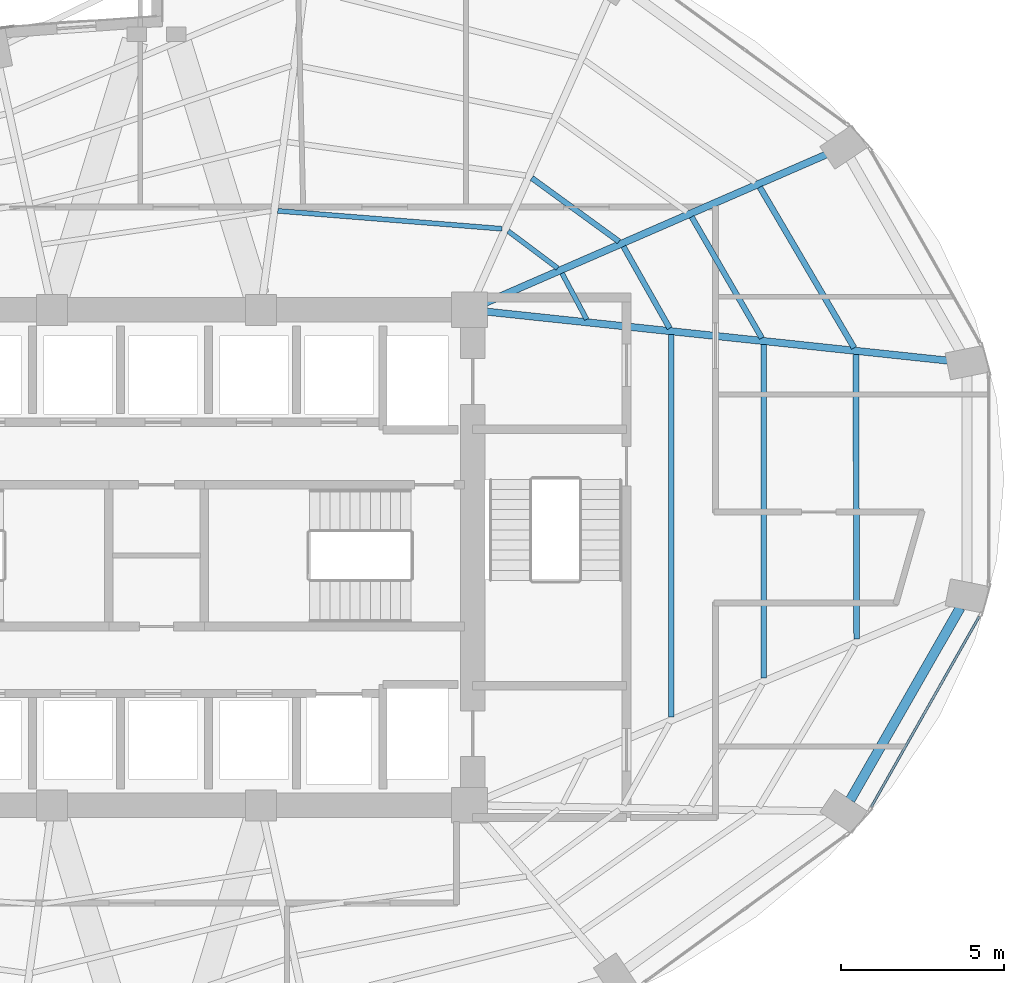
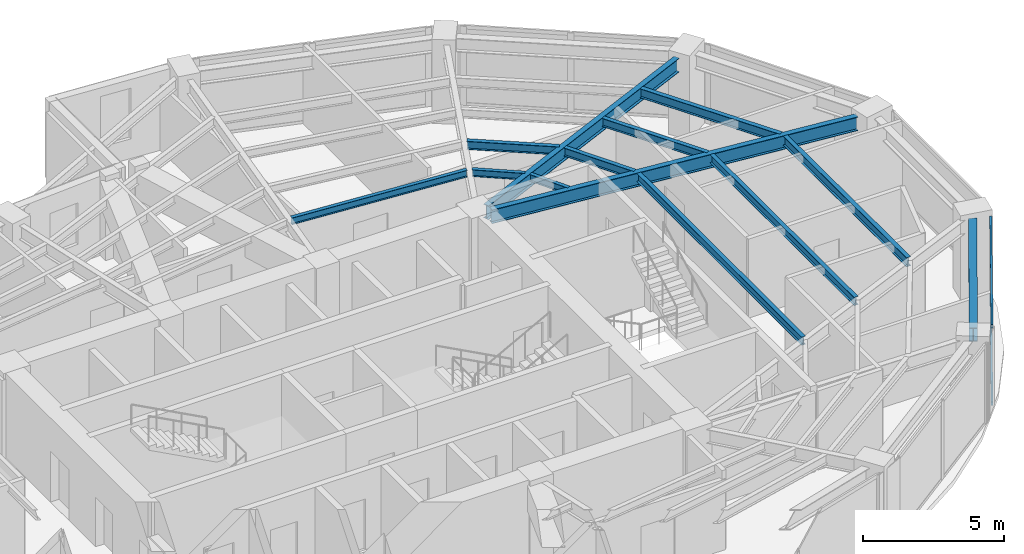
# One storey, part 12 of 23: 13 beams, 2 members, 1 element without a shape of its own.
"""IFC4 building model written with IfcOpenShell, lengths in metres."""

from ifc_helpers import new_model, si_unit, direction, frame, origin, origin_2d, place, context, subcontext, project, spatial, hollow_rectangle, i_section, extrude, material, layer, layer_set, material_profile, profile_set, type_object, element, aggregate, save


model = new_model("IFC4")

# Units and contexts
model_context = context("Model", 3, precision=1e-05, world=origin(), true_north=direction((0.0, 1.0)))
body_context = subcontext(model_context, "Body", "Model", "MODEL_VIEW")
ifc_project = project(units=[si_unit("LENGTHUNIT", "METRE"), si_unit("AREAUNIT", "SQUARE_METRE"), si_unit("VOLUMEUNIT", "CUBIC_METRE"), si_unit("PLANEANGLEUNIT", "RADIAN"), si_unit("MASSUNIT", "GRAM", prefix="KILO")], contexts=[model_context])

# Site, building, storey
site_placement = place(None, origin())
site = spatial("IfcSite", under=ifc_project, at=site_placement, CompositionType="ELEMENT")
building_placement = place(site_placement, origin())
building = spatial("IfcBuilding", under=site, at=building_placement, Name="Lazwardi Medical Tower", CompositionType="ELEMENT")
storey_placement = place(building_placement, frame((0.0, 0.0, 107.280029296875)))
storey = spatial("IfcBuildingStorey", under=building, at=storey_placement, Name="L27", CompositionType="ELEMENT", Elevation=107.280029296875)

# Beams
ifc_material_1 = material(Name="Steel S355", Category="steel")
ifc_material_profile_1 = material_profile(ifc_material_1, i_section(OverallWidth=0.300048828125, OverallDepth=0.60009765625, WebThickness=0.015380859375, FlangeThickness=0.030029296875, at=origin_2d()), Name="HEB 600")
ifc_profile_set_1 = profile_set([ifc_material_profile_1], Name="Steel S355")
beam_type_1 = type_object("IfcBeamType", Name="BM-RB-Z2", PredefinedType="BEAM", material=ifc_profile_set_1)
beam_1_placement = place(storey_placement, frame((57.281494140625, 20.561279296875, 3.1279296875), z_axis=(0.496653025517, 0.867949176072, 0.0), x_axis=(-0.867949176072, 0.496653025517, 0.0)))
element("IfcBeam", 1, at=beam_1_placement, inside=storey, type_object=beam_type_1, Name="Ring beam RB-03 B03 L27", PredefinedType="BEAM", context=body_context, shape_type="SweptSolid", body=[
    extrude(i_section(OverallWidth=0.300048828125, OverallDepth=0.60009765625, WebThickness=0.015380859375, FlangeThickness=0.030029296875, at=origin_2d()), origin(), (0.0, 0.0, 1.0), 6.80078125),
])
ifc_material_profile_2 = material_profile(ifc_material_1, i_section(OverallWidth=0.219970703125, OverallDepth=0.60009765625, WebThickness=0.011962890625, FlangeThickness=0.01904296875, at=origin_2d()), Name="IPE 600")
ifc_profile_set_2 = profile_set([ifc_material_profile_2], Name="Steel S355")
beam_type_2 = type_object("IfcBeamType", Name="BM-RG-W1", PredefinedType="BEAM", material=ifc_profile_set_2)
beam_2_placement = place(storey_placement, frame((60.2861328125, 34.041015625, 3.1279296875), z_axis=(-0.994413340753, 0.10555618282, 0.0), x_axis=(-0.10555618282, -0.994413340753, 0.0)))
element("IfcBeam", 2, at=beam_2_placement, inside=storey, type_object=beam_type_2, Name="Radial girder RG-02 R05 L27", PredefinedType="BEAM", context=body_context, shape_type="SweptSolid", body=[
    extrude(i_section(OverallWidth=0.219970703125, OverallDepth=0.60009765625, WebThickness=0.011962890625, FlangeThickness=0.01904296875, at=origin_2d()), origin(), (0.0, 0.0, 1.0), 14.233642578125),
])
beam_3_placement = place(storey_placement, frame((56.5458984375, 40.36328125, 3.1279296875), z_axis=(-0.916941336121, -0.399022037127, 0.0), x_axis=(0.399022037127, -0.916941336121, 0.0)))
element("IfcBeam", 3, at=beam_3_placement, inside=storey, type_object=beam_type_2, Name="Radial girder RG-02 R06 L27", PredefinedType="BEAM", context=body_context, shape_type="SweptSolid", body=[
    extrude(i_section(OverallWidth=0.219970703125, OverallDepth=0.60009765625, WebThickness=0.011962890625, FlangeThickness=0.01904296875, at=origin_2d()), origin(), (0.0, 0.0, 1.0), 11.40234375),
])
ifc_material_profile_3 = material_profile(ifc_material_1, i_section(OverallWidth=0.179931640625, OverallDepth=0.39990234375, WebThickness=0.008544921875, FlangeThickness=0.013427734375, at=origin_2d()), Name="IPE 400")
ifc_profile_set_3 = profile_set([ifc_material_profile_3], Name="Steel S355")
beam_type_3 = type_object("IfcBeamType", Name="BM-SJ-01", PredefinedType="JOIST", material=ifc_profile_set_3)
beam_4_placement = place(storey_placement, frame((57.48095703125, 25.502685546875, 3.22802734375), z_axis=(-0.002907126978, 0.999995774297, 0.0), x_axis=(-0.999995774297, -0.002907126978, 0.0)))
element("IfcBeam", 4, at=beam_4_placement, inside=storey, type_object=beam_type_3, Name="Secondary joist SJ-01 R1 B04 L27", PredefinedType="JOIST", context=body_context, shape_type="SweptSolid", body=[
    extrude(i_section(OverallWidth=0.179931640625, OverallDepth=0.39990234375, WebThickness=0.008544921875, FlangeThickness=0.013427734375, at=origin_2d()), origin(), (0.0, 0.0, 1.0), 8.73388671875),
])
beam_5_placement = place(storey_placement, frame((57.402099609375, 34.43212890625, 3.22802734375), z_axis=(-0.506195045201, 0.862419025888, 0.0), x_axis=(-0.862419025888, -0.506195045201, 0.0)))
element("IfcBeam", 5, at=beam_5_placement, inside=storey, type_object=beam_type_3, Name="Secondary joist SJ-01 R1 B05 L27", PredefinedType="JOIST", context=body_context, shape_type="SweptSolid", body=[
    extrude(i_section(OverallWidth=0.179931640625, OverallDepth=0.39990234375, WebThickness=0.008544921875, FlangeThickness=0.013427734375, at=origin_2d()), origin(), (0.0, 0.0, 1.0), 5.71728515625),
])
ifc_material_profile_4 = material_profile(ifc_material_1, i_section(OverallWidth=0.169921875, OverallDepth=0.360107421875, WebThickness=0.008056640625, FlangeThickness=0.0126953125, at=origin_2d()), Name="IPE 360")
ifc_profile_set_4 = profile_set([ifc_material_profile_4], Name="Steel S355")
beam_type_4 = type_object("IfcBeamType", Name="BM-SJ-02", PredefinedType="JOIST", material=ifc_profile_set_4)
beam_6_placement = place(storey_placement, frame((54.634033203125, 24.30517578125, 3.248046875), z_axis=(-0.000930565095, 0.999999567024, 0.0), x_axis=(-0.999999567024, -0.000930565095, 0.0)))
element("IfcBeam", 6, at=beam_6_placement, inside=storey, type_object=beam_type_4, Name="Secondary joist SJ-02 R2 B04 L27", PredefinedType="JOIST", context=body_context, shape_type="SweptSolid", body=[
    extrude(i_section(OverallWidth=0.169921875, OverallDepth=0.360107421875, WebThickness=0.008056640625, FlangeThickness=0.0126953125, at=origin_2d()), origin(), (0.0, 0.0, 1.0), 10.23193359375),
])
beam_7_placement = place(storey_placement, frame((54.57177734375, 34.73291015625, 3.248046875), z_axis=(-0.501365325212, 0.865235696602, 0.0), x_axis=(-0.865235696602, -0.501365325212, 0.0)))
element("IfcBeam", 7, at=beam_7_placement, inside=storey, type_object=beam_type_4, Name="Secondary joist SJ-02 R2 B05 L27", PredefinedType="JOIST", context=body_context, shape_type="SweptSolid", body=[
    extrude(i_section(OverallWidth=0.169921875, OverallDepth=0.360107421875, WebThickness=0.008056640625, FlangeThickness=0.0126953125, at=origin_2d()), origin(), (0.0, 0.0, 1.0), 4.298828125),
])
beam_8_placement = place(storey_placement, frame((51.787109375, 23.107421875, 3.248046875), z_axis=(0.000561961365, 0.9999998421, 0.0), x_axis=(-0.9999998421, 0.000561961365, 0.0)))
element("IfcBeam", 8, at=beam_8_placement, inside=storey, type_object=beam_type_4, Name="Secondary joist SJ-02 R3 B04 L27", PredefinedType="JOIST", context=body_context, shape_type="SweptSolid", body=[
    extrude(i_section(OverallWidth=0.169921875, OverallDepth=0.360107421875, WebThickness=0.008056640625, FlangeThickness=0.0126953125, at=origin_2d()), origin(), (0.0, 0.0, 1.0), 11.72998046875),
])
beam_9_placement = place(storey_placement, frame((51.741943359375, 35.033935546875, 3.248046875), z_axis=(-0.492026539517, 0.870580199873, 0.0), x_axis=(-0.870580199873, -0.492026539517, 0.0)))
element("IfcBeam", 9, at=beam_9_placement, inside=storey, type_object=beam_type_4, Name="Secondary joist SJ-02 R3 B05 L27", PredefinedType="JOIST", context=body_context, shape_type="SweptSolid", body=[
    extrude(i_section(OverallWidth=0.169921875, OverallDepth=0.360107421875, WebThickness=0.008056640625, FlangeThickness=0.0126953125, at=origin_2d()), origin(), (0.0, 0.0, 1.0), 2.880859375),
])
beam_10_placement = place(storey_placement, frame((50.18798828125, 37.6953125, 3.248046875), z_axis=(-0.808301737247, 0.588768461761, 0.0), x_axis=(-0.588768461761, -0.808301737247, 0.0)))
element("IfcBeam", 10, at=beam_10_placement, inside=storey, type_object=beam_type_4, Name="Secondary joist SJ-02 R3 B06 L27", PredefinedType="JOIST", context=body_context, shape_type="SweptSolid", body=[
    extrude(i_section(OverallWidth=0.169921875, OverallDepth=0.360107421875, WebThickness=0.008056640625, FlangeThickness=0.0126953125, at=origin_2d()), origin(), (0.0, 0.0, 1.0), 3.307373046875),
])
ifc_material_profile_5 = material_profile(ifc_material_1, i_section(OverallWidth=0.14990234375, OverallDepth=0.300048828125, WebThickness=0.007080078125, FlangeThickness=0.0107421875, at=origin_2d()), Name="IPE 300")
ifc_profile_set_5 = profile_set([ifc_material_profile_5], Name="Steel S355")
beam_type_5 = type_object("IfcBeamType", Name="BM-SJ-03", PredefinedType="JOIST", material=ifc_profile_set_5)
beam_11_placement = place(storey_placement, frame((49.1962890625, 35.3056640625, 3.278076171875), z_axis=(-0.471022344925, 0.882121278839, 0.0), x_axis=(-0.882121278839, -0.471022344925, 0.0)))
element("IfcBeam", 11, at=beam_11_placement, inside=storey, type_object=beam_type_5, Name="Secondary joist SJ-03 R4 B05 L27", PredefinedType="JOIST", context=body_context, shape_type="SweptSolid", body=[
    extrude(i_section(OverallWidth=0.14990234375, OverallDepth=0.300048828125, WebThickness=0.007080078125, FlangeThickness=0.0107421875, at=origin_2d()), origin(), (0.0, 0.0, 1.0), 1.605224609375),
])
beam_12_placement = place(storey_placement, frame((48.306640625, 36.87744140625, 3.278076171875), z_axis=(-0.800447687995, 0.599402618265, 0.0), x_axis=(-0.599402618265, -0.800447687995, 0.0)))
element("IfcBeam", 12, at=beam_12_placement, inside=storey, type_object=beam_type_5, Name="Secondary joist SJ-03 R4 B06 L27", PredefinedType="JOIST", context=body_context, shape_type="SweptSolid", body=[
    extrude(i_section(OverallWidth=0.14990234375, OverallDepth=0.300048828125, WebThickness=0.007080078125, FlangeThickness=0.0107421875, at=origin_2d()), origin(), (0.0, 0.0, 1.0), 1.896728515625),
])
beam_13_placement = place(storey_placement, frame((46.599609375, 38.085693359375, 3.278076171875), z_axis=(-0.996816178299, 0.079733974445, 0.0), x_axis=(-0.079733974445, -0.996816178299, 0.0)))
element("IfcBeam", 13, at=beam_13_placement, inside=storey, type_object=beam_type_5, Name="Secondary joist SJ-03 R4 B07 L27", PredefinedType="JOIST", context=body_context, shape_type="SweptSolid", body=[
    extrude(i_section(OverallWidth=0.14990234375, OverallDepth=0.300048828125, WebThickness=0.007080078125, FlangeThickness=0.0107421875, at=origin_2d()), origin(), (0.0, 0.0, 1.0), 6.901611328125),
])

# Curtain wall, members
ifc_material_2 = material(Name="Anodised bronze aluminium and solar control glazing", Category="aluminium")
ifc_layer = layer(ifc_material_2, 0.195068359375)
ifc_layer_set = layer_set([ifc_layer], Name="Anodised bronze aluminium and solar control glazing")
curtain_wall_type = type_object("IfcCurtainWallType", Name="CW-SYS-03", PredefinedType="NOTDEFINED", material=ifc_layer_set)
curtain_wall_placement = place(storey_placement, origin())
curtain_wall = element("IfcCurtainWall", 14, at=curtain_wall_placement, inside=storey, type_object=curtain_wall_type, Name="L27 Unitised bronze curtain wall CW-03", PredefinedType="NOTDEFINED")
ifc_material_3 = material(Name="Anodised bronze aluminium", Category="aluminium")
ifc_material_profile_6 = material_profile(ifc_material_3, hollow_rectangle(XDim=0.074951171875, YDim=0.159912109375, WallThickness=0.00390625, at=origin_2d()), Name="ALU-TRANSOM 160x75x4")
ifc_profile_set_6 = profile_set([ifc_material_profile_6], Name="Anodised bronze aluminium")
member_type = type_object("IfcMemberType", Name="CW-TRN-01", PredefinedType="USERDEFINED", material=ifc_profile_set_6)
member_1_placement = place(storey_placement, frame((57.925537109375, 20.3466796875, 0.037353515625), z_axis=(0.493614427365, 0.869680859337, 0.0), x_axis=(-0.869680859337, 0.493614427365, 0.0)))
member_1 = element("IfcMember", 15, at=member_1_placement, type_object=member_type, Name="CW-03 transom 1.1", ObjectType="TRANSOM", PredefinedType="USERDEFINED", context=body_context, shape_type="SweptSolid", body=[
    extrude(hollow_rectangle(XDim=0.074951171875, YDim=0.159912109375, WallThickness=0.00390625, at=origin_2d()), origin(), (0.0, 0.0, 1.0), 6.72314453125),
])
member_2_placement = place(storey_placement, frame((57.925537109375, 20.3466796875, 3.390380859375), z_axis=(0.493614427365, 0.869680859337, 0.0), x_axis=(-0.869680859337, 0.493614427365, 0.0)))
member_2 = element("IfcMember", 16, at=member_2_placement, type_object=member_type, Name="CW-03 transom 1.2", ObjectType="TRANSOM", PredefinedType="USERDEFINED", context=body_context, shape_type="SweptSolid", body=[
    extrude(hollow_rectangle(XDim=0.074951171875, YDim=0.159912109375, WallThickness=0.00390625, at=origin_2d()), origin(), (0.0, 0.0, 1.0), 6.72314453125),
])
aggregate(curtain_wall, [member_1, member_2])

save(model, "model.ifc")
